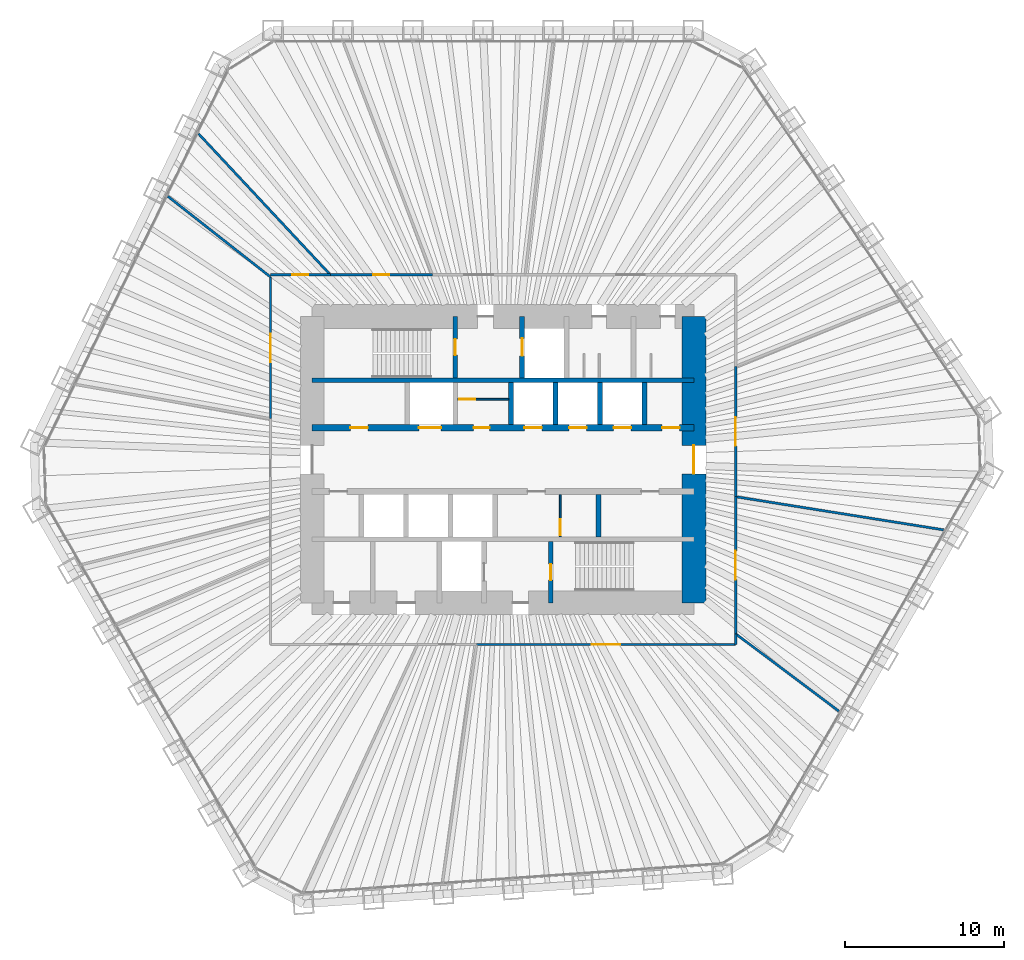
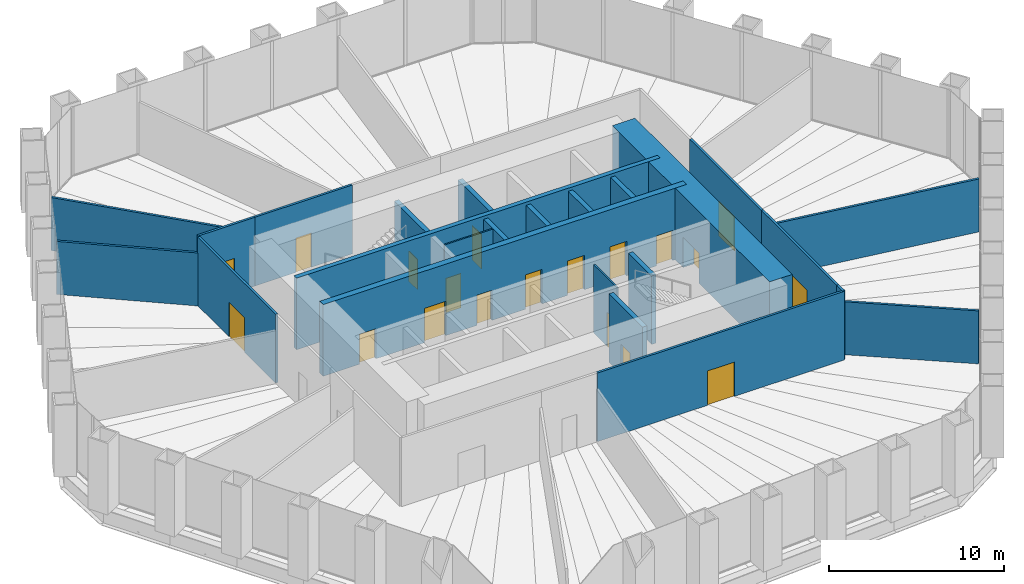
# One storey, part 11 of 13: 24 walls, 19 doors, 19 openings.
"""IFC4 building model written with IfcOpenShell, lengths in metres."""

from ifc_helpers import new_model, si_unit, direction, frame, frame_2d, origin, place, context, subcontext, project, spatial, rectangle, extrude, material, layer, layer_set, type_object, element, fill, save


model = new_model("IFC4")

# Units and contexts
model_context = context("Model", 3, precision=1e-05, world=origin(), true_north=direction((0.0, 1.0)))
body_context = subcontext(model_context, "Body", "Model", "MODEL_VIEW")
ifc_project = project(units=[si_unit("LENGTHUNIT", "METRE"), si_unit("AREAUNIT", "SQUARE_METRE"), si_unit("VOLUMEUNIT", "CUBIC_METRE"), si_unit("PLANEANGLEUNIT", "RADIAN"), si_unit("MASSUNIT", "GRAM", prefix="KILO")], contexts=[model_context])

# Site, building, storey
site_placement = place(None, origin())
site = spatial("IfcSite", under=ifc_project, at=site_placement, CompositionType="ELEMENT")
building_placement = place(site_placement, origin())
building = spatial("IfcBuilding", under=site, at=building_placement, Name="Qingtian Harvest Tower", CompositionType="ELEMENT")
storey_placement = place(building_placement, frame((0.0, 0.0, 47.0)))
storey = spatial("IfcBuildingStorey", under=building, at=storey_placement, Name="L09", CompositionType="ELEMENT", Elevation=47.0)

# Wall
ifc_material_1 = material(Name="Concrete fc' 70 MPa", Category="concrete")
ifc_layer_1 = layer(ifc_material_1, 0.300048828125)
ifc_layer_set_1 = layer_set([ifc_layer_1], Name="Core inner wall RC5 300")
wall_type_1 = type_object("IfcWallType", Name="Core inner wall RC5 300", PredefinedType="SHEAR", material=ifc_layer_set_1)
wall_1_placement = place(storey_placement, frame((-12.0, 5.0, 0.0), z_axis=(0.0, 0.0, 1.0), x_axis=(1.0, 0.0, 0.0)))
element("IfcWall", 1, at=wall_1_placement, inside=storey, type_object=wall_type_1, Name="Core wall IN5 L09", PredefinedType="SHEAR", context=body_context, shape_type="SweptSolid", body=[
    extrude(rectangle(XDim=24.0, YDim=0.300048828125, at=frame_2d((12.0, 0.0))), origin(), (0.0, 0.0, 1.0), 5.0),
])

# Wall, openings, doors
ifc_material_2 = material(Name="Concrete fc' 70 MPa", Category="concrete")
ifc_layer_2 = layer(ifc_material_2, 0.39990234375)
ifc_layer_set_2 = layer_set([ifc_layer_2], Name="Core inner web RC6 400")
wall_type_2 = type_object("IfcWallType", Name="Core inner web RC6 400", PredefinedType="SHEAR", material=ifc_layer_set_2)
wall_2_placement = place(storey_placement, frame((-12.0, 2.0, 0.0), z_axis=(0.0, 0.0, 1.0), x_axis=(1.0, 0.0, 0.0)))
wall_2 = element("IfcWall", 2, at=wall_2_placement, inside=storey, type_object=wall_type_2, Name="Core wall IN2 L09", PredefinedType="SHEAR", context=body_context, shape_type="SweptSolid", body=[
    extrude(rectangle(XDim=24.0, YDim=0.39990234375, at=frame_2d((12.0, 0.0))), origin(), (0.0, 0.0, 1.0), 5.0),
])
opening_1_placement = place(wall_2_placement, frame((2.39990234375, 0.0, 0.0)))
opening_1 = element("IfcOpeningElement", 3, at=opening_1_placement, cuts=wall_2, Name="Opening FD4", PredefinedType="OPENING", context=body_context, shape_type="SweptSolid", body=[
    extrude(rectangle(XDim=1.10009765625, YDim=2.10009765625, at=frame_2d((0.550048828125, 1.050048828125))), frame((0.0, 0.2099609375, 0.0), z_axis=(0.0, -1.0, 0.0), x_axis=(1.0, 0.0, 0.0)), (0.0, 0.0, 1.0), 0.419921875),
])
opening_2_placement = place(wall_2_placement, frame((22.0, 0.0, 0.0)))
opening_2 = element("IfcOpeningElement", 4, at=opening_2_placement, cuts=wall_2, Name="Opening FD4", PredefinedType="OPENING", context=body_context, shape_type="SweptSolid", body=[
    extrude(rectangle(XDim=1.10009765625, YDim=2.10009765625, at=frame_2d((0.550048828125, 1.050048828125))), frame((0.0, 0.2099609375, 0.0), z_axis=(0.0, -1.0, 0.0), x_axis=(1.0, 0.0, 0.0)), (0.0, 0.0, 1.0), 0.419921875),
])
opening_3_placement = place(wall_2_placement, frame((10.14990234375, 0.0, 0.0)))
opening_3 = element("IfcOpeningElement", 5, at=opening_3_placement, cuts=wall_2, Name="Opening FD1", PredefinedType="OPENING", context=body_context, shape_type="SweptSolid", body=[
    extrude(rectangle(XDim=1.0, YDim=2.10009765625, at=frame_2d((0.5, 1.050048828125))), frame((0.0, 0.2099609375, 0.0), z_axis=(0.0, -1.0, 0.0), x_axis=(1.0, 0.0, 0.0)), (0.0, 0.0, 1.0), 0.419921875),
])
opening_4_placement = place(wall_2_placement, frame((6.699951171875, 0.0, 0.0)))
opening_4 = element("IfcOpeningElement", 6, at=opening_4_placement, cuts=wall_2, Name="Opening LD2", PredefinedType="OPENING", context=body_context, shape_type="SweptSolid", body=[
    extrude(rectangle(XDim=1.39990234375, YDim=2.39990234375, at=frame_2d((0.699951171875, 1.199951171875))), frame((0.0, 0.2099609375, 0.0), z_axis=(0.0, -1.0, 0.0), x_axis=(1.0, 0.0, 0.0)), (0.0, 0.0, 1.0), 0.419921875),
])
opening_5_placement = place(wall_2_placement, frame((13.35009765625, 0.0, 0.0)))
opening_5 = element("IfcOpeningElement", 7, at=opening_5_placement, cuts=wall_2, Name="Opening LD1", PredefinedType="OPENING", context=body_context, shape_type="SweptSolid", body=[
    extrude(rectangle(XDim=1.10009765625, YDim=2.39990234375, at=frame_2d((0.550048828125, 1.199951171875))), frame((0.0, 0.2099609375, 0.0), z_axis=(0.0, -1.0, 0.0), x_axis=(1.0, 0.0, 0.0)), (0.0, 0.0, 1.0), 0.419921875),
])
opening_6_placement = place(wall_2_placement, frame((16.14990234375, 0.0, 0.0)))
opening_6 = element("IfcOpeningElement", 8, at=opening_6_placement, cuts=wall_2, Name="Opening LD1", PredefinedType="OPENING", context=body_context, shape_type="SweptSolid", body=[
    extrude(rectangle(XDim=1.10009765625, YDim=2.39990234375, at=frame_2d((0.550048828125, 1.199951171875))), frame((0.0, 0.2099609375, 0.0), z_axis=(0.0, -1.0, 0.0), x_axis=(1.0, 0.0, 0.0)), (0.0, 0.0, 1.0), 0.419921875),
])
opening_7_placement = place(wall_2_placement, frame((18.949951171875, 0.0, 0.0)))
opening_7 = element("IfcOpeningElement", 9, at=opening_7_placement, cuts=wall_2, Name="Opening LD1", PredefinedType="OPENING", context=body_context, shape_type="SweptSolid", body=[
    extrude(rectangle(XDim=1.10009765625, YDim=2.39990234375, at=frame_2d((0.550048828125, 1.199951171875))), frame((0.0, 0.2099609375, 0.0), z_axis=(0.0, -1.0, 0.0), x_axis=(1.0, 0.0, 0.0)), (0.0, 0.0, 1.0), 0.419921875),
])
ifc_material_3 = material(Name="Steel-faced door leaf", Category="steel")
door_type_1 = type_object("IfcDoorType", Name="Fire door FD1 single 1 HR", OperationType="SINGLE_SWING_LEFT", PredefinedType="DOOR", material=ifc_material_3)
door_1_placement = place(opening_3_placement, origin())
door_1 = element("IfcDoor", 10, at=door_1_placement, inside=storey, type_object=door_type_1, Name="STA door L09", OperationType="SINGLE_SWING_LEFT", OverallHeight=2.10009765625, OverallWidth=1.0, PredefinedType="DOOR", context=body_context, shape_type="SweptSolid", body=[
    extrude(rectangle(XDim=1.0, YDim=2.10009765625, at=frame_2d((0.5, 1.050048828125))), frame((0.0, 0.02490234375, 0.0), z_axis=(0.0, -1.0, 0.0), x_axis=(1.0, 0.0, 0.0)), (0.0, 0.0, 1.0), 0.050048828125),
])
fill(opening_3, door_1)
ifc_material_4 = material(Name="Steel-faced door leaf", Category="steel")
door_type_2 = type_object("IfcDoorType", Name="Fire door FD4 single 2 HR", OperationType="SINGLE_SWING_LEFT", PredefinedType="DOOR", material=ifc_material_4)
door_2_placement = place(opening_1_placement, origin())
door_2 = element("IfcDoor", 11, at=door_2_placement, inside=storey, type_object=door_type_2, Name="RA door L09", OperationType="SINGLE_SWING_LEFT", OverallHeight=2.10009765625, OverallWidth=1.10009765625, PredefinedType="DOOR", context=body_context, shape_type="SweptSolid", body=[
    extrude(rectangle(XDim=1.10009765625, YDim=2.10009765625, at=frame_2d((0.550048828125, 1.050048828125))), frame((0.0, 0.02490234375, 0.0), z_axis=(0.0, -1.0, 0.0), x_axis=(1.0, 0.0, 0.0)), (0.0, 0.0, 1.0), 0.050048828125),
])
fill(opening_1, door_2)
door_3_placement = place(opening_2_placement, origin())
door_3 = element("IfcDoor", 12, at=door_3_placement, inside=storey, type_object=door_type_2, Name="AHU door L09", OperationType="SINGLE_SWING_RIGHT", OverallHeight=2.10009765625, OverallWidth=1.10009765625, PredefinedType="DOOR", context=body_context, shape_type="SweptSolid", body=[
    extrude(rectangle(XDim=1.10009765625, YDim=2.10009765625, at=frame_2d((0.550048828125, 1.050048828125))), frame((0.0, 0.02490234375, 0.0), z_axis=(0.0, -1.0, 0.0), x_axis=(1.0, 0.0, 0.0)), (0.0, 0.0, 1.0), 0.050048828125),
])
fill(opening_2, door_3)
ifc_material_5 = material(Name="Stainless steel lift landing door", Category="steel")
door_type_3 = type_object("IfcDoorType", Name="Goods lift landing door LD2 1 HR", OperationType="DOUBLE_DOOR_SLIDING", PredefinedType="DOOR", material=ifc_material_5)
door_4_placement = place(opening_4_placement, origin())
door_4 = element("IfcDoor", 13, at=door_4_placement, inside=storey, type_object=door_type_3, Name="GL1 landing door L09", OperationType="DOUBLE_DOOR_SLIDING", OverallHeight=2.39990234375, OverallWidth=1.39990234375, PredefinedType="DOOR", context=body_context, shape_type="SweptSolid", body=[
    extrude(rectangle(XDim=1.39990234375, YDim=2.39990234375, at=frame_2d((0.699951171875, 1.199951171875))), frame((0.0, 0.02490234375, 0.0), z_axis=(0.0, -1.0, 0.0), x_axis=(1.0, 0.0, 0.0)), (0.0, 0.0, 1.0), 0.050048828125),
])
fill(opening_4, door_4)
ifc_material_6 = material(Name="Stainless steel lift landing door", Category="steel")
door_type_4 = type_object("IfcDoorType", Name="Lift landing door LD1 1 HR", OperationType="DOUBLE_DOOR_SLIDING", PredefinedType="DOOR", material=ifc_material_6)
door_5_placement = place(opening_5_placement, origin())
door_5 = element("IfcDoor", 14, at=door_5_placement, inside=storey, type_object=door_type_4, Name="PLA1 landing door L09", OperationType="DOUBLE_DOOR_SLIDING", OverallHeight=2.39990234375, OverallWidth=1.10009765625, PredefinedType="DOOR", context=body_context, shape_type="SweptSolid", body=[
    extrude(rectangle(XDim=1.10009765625, YDim=2.39990234375, at=frame_2d((0.550048828125, 1.199951171875))), frame((0.0, 0.02490234375, 0.0), z_axis=(0.0, -1.0, 0.0), x_axis=(1.0, 0.0, 0.0)), (0.0, 0.0, 1.0), 0.050048828125),
])
fill(opening_5, door_5)
door_6_placement = place(opening_6_placement, origin())
door_6 = element("IfcDoor", 15, at=door_6_placement, inside=storey, type_object=door_type_4, Name="PLA2 landing door L09", OperationType="DOUBLE_DOOR_SLIDING", OverallHeight=2.39990234375, OverallWidth=1.10009765625, PredefinedType="DOOR", context=body_context, shape_type="SweptSolid", body=[
    extrude(rectangle(XDim=1.10009765625, YDim=2.39990234375, at=frame_2d((0.550048828125, 1.199951171875))), frame((0.0, 0.02490234375, 0.0), z_axis=(0.0, -1.0, 0.0), x_axis=(1.0, 0.0, 0.0)), (0.0, 0.0, 1.0), 0.050048828125),
])
fill(opening_6, door_6)
door_7_placement = place(opening_7_placement, origin())
door_7 = element("IfcDoor", 16, at=door_7_placement, inside=storey, type_object=door_type_4, Name="PLA3 landing door L09", OperationType="DOUBLE_DOOR_SLIDING", OverallHeight=2.39990234375, OverallWidth=1.10009765625, PredefinedType="DOOR", context=body_context, shape_type="SweptSolid", body=[
    extrude(rectangle(XDim=1.10009765625, YDim=2.39990234375, at=frame_2d((0.550048828125, 1.199951171875))), frame((0.0, 0.02490234375, 0.0), z_axis=(0.0, -1.0, 0.0), x_axis=(1.0, 0.0, 0.0)), (0.0, 0.0, 1.0), 0.050048828125),
])
fill(opening_7, door_7)

# Wall, opening, door
ifc_material_7 = material(Name="Precast concrete shaft panel", Category="concrete")
ifc_layer_3 = layer(ifc_material_7, 0.300048828125)
ifc_layer_set_3 = layer_set([ifc_layer_3], Name="Core shaft partition SW1 300")
wall_type_3 = type_object("IfcWallType", Name="Core shaft partition SW1 300", PredefinedType="PARTITIONING", material=ifc_layer_set_3)
wall_3_placement = place(storey_placement, frame((-3.0, 5.14990234375, 0.0), z_axis=(0.0, 0.0, 1.0), x_axis=(0.0, 1.0, 0.0)))
wall_3 = element("IfcWall", 17, at=wall_3_placement, inside=storey, type_object=wall_type_3, Name="Core shaft partition XN1 L09", PredefinedType="PARTITIONING", context=body_context, shape_type="SweptSolid", body=[
    extrude(rectangle(XDim=3.85009765625, YDim=0.300048828125, at=frame_2d((1.925048828125, 0.0))), origin(), (0.0, 0.0, 1.0), 4.780029296875),
])
opening_8_placement = place(wall_3_placement, frame((1.425048828125, 0.0, 0.0)))
opening_8 = element("IfcOpeningElement", 18, at=opening_8_placement, cuts=wall_3, Name="Opening FD1", PredefinedType="OPENING", context=body_context, shape_type="SweptSolid", body=[
    extrude(rectangle(XDim=1.0, YDim=2.10009765625, at=frame_2d((0.5, 1.050048828125))), frame((0.0, 0.159912109375, 0.0), z_axis=(0.0, -1.0, 0.0), x_axis=(1.0, 0.0, 0.0)), (0.0, 0.0, 1.0), 0.320068359375),
])
door_8_placement = place(opening_8_placement, origin())
door_8 = element("IfcDoor", 19, at=door_8_placement, inside=storey, type_object=door_type_1, Name="S1 door L09", OperationType="SINGLE_SWING_LEFT", OverallHeight=2.10009765625, OverallWidth=1.0, PredefinedType="DOOR", context=body_context, shape_type="SweptSolid", body=[
    extrude(rectangle(XDim=1.0, YDim=2.10009765625, at=frame_2d((0.5, 1.050048828125))), frame((0.0, 0.02490234375, 0.0), z_axis=(0.0, -1.0, 0.0), x_axis=(1.0, 0.0, 0.0)), (0.0, 0.0, 1.0), 0.050048828125),
])
fill(opening_8, door_8)

wall_4_placement = place(storey_placement, frame((1.199951171875, 5.14990234375, 0.0), z_axis=(0.0, 0.0, 1.0), x_axis=(0.0, 1.0, 0.0)))
wall_4 = element("IfcWall", 20, at=wall_4_placement, inside=storey, type_object=wall_type_3, Name="Core shaft partition XN2 L09", PredefinedType="PARTITIONING", context=body_context, shape_type="SweptSolid", body=[
    extrude(rectangle(XDim=3.85009765625, YDim=0.300048828125, at=frame_2d((1.925048828125, 0.0))), origin(), (0.0, 0.0, 1.0), 4.780029296875),
])
opening_9_placement = place(wall_4_placement, frame((1.375, 0.0, 0.0)))
opening_9 = element("IfcOpeningElement", 21, at=opening_9_placement, cuts=wall_4, Name="Opening LD1", PredefinedType="OPENING", context=body_context, shape_type="SweptSolid", body=[
    extrude(rectangle(XDim=1.10009765625, YDim=2.39990234375, at=frame_2d((0.550048828125, 1.199951171875))), frame((0.0, 0.159912109375, 0.0), z_axis=(0.0, -1.0, 0.0), x_axis=(1.0, 0.0, 0.0)), (0.0, 0.0, 1.0), 0.320068359375),
])
door_9_placement = place(opening_9_placement, origin())
door_9 = element("IfcDoor", 22, at=door_9_placement, inside=storey, type_object=door_type_4, Name="FL1 landing door L09", OperationType="DOUBLE_DOOR_SLIDING", OverallHeight=2.39990234375, OverallWidth=1.10009765625, PredefinedType="DOOR", context=body_context, shape_type="SweptSolid", body=[
    extrude(rectangle(XDim=1.10009765625, YDim=2.39990234375, at=frame_2d((0.550048828125, 1.199951171875))), frame((0.0, 0.02490234375, 0.0), z_axis=(0.0, -1.0, 0.0), x_axis=(1.0, 0.0, 0.0)), (0.0, 0.0, 1.0), 0.050048828125),
])
fill(opening_9, door_9)

# Walls
for number, where, z_axis, x_axis, name in (
    (23, (0.5, 2.199951171875, 0.0), (0.0, 0.0, 1.0), (0.0, 1.0, 0.0), "Core shaft partition XA3 L09"),
    (24, (3.300048828125, 2.199951171875, 0.0), (0.0, 0.0, 1.0), (0.0, 1.0, 0.0), "Core shaft partition XA4 L09"),
    (25, (6.10009765625, 2.199951171875, 0.0), (0.0, 0.0, 1.0), (0.0, 1.0, 0.0), "Core shaft partition XA5 L09"),
    (26, (8.89990234375, 2.199951171875, 0.0), (0.0, 0.0, 1.0), (0.0, 1.0, 0.0), "Core shaft partition XA6 L09"),
    (27, (6.0, -4.85009765625, 0.0), (0.0, 0.0, 1.0), (0.0, 1.0, 0.0), "Core shaft partition XB5 L09"),
):
    element("IfcWall", number, at=place(storey_placement, frame(where, z_axis=z_axis, x_axis=x_axis)), inside=storey, type_object=wall_type_3, Name=name, PredefinedType="PARTITIONING", context=body_context, shape_type="SweptSolid", body=[
        extrude(rectangle(XDim=2.650146484375, YDim=0.300048828125, at=frame_2d((1.3251953125, 0.0))), origin(), (0.0, 0.0, 1.0), 4.780029296875),
    ])

# Wall, opening, door
wall_5_placement = place(storey_placement, frame((3.0, -9.0, 0.0), z_axis=(0.0, 0.0, 1.0), x_axis=(0.0, 1.0, 0.0)))
wall_5 = element("IfcWall", 28, at=wall_5_placement, inside=storey, type_object=wall_type_3, Name="Core shaft partition XS4 L09", PredefinedType="PARTITIONING", context=body_context, shape_type="SweptSolid", body=[
    extrude(rectangle(XDim=3.85009765625, YDim=0.300048828125, at=frame_2d((1.925048828125, 0.0))), origin(), (0.0, 0.0, 1.0), 4.780029296875),
])
opening_10_placement = place(wall_5_placement, frame((1.425048828125, 0.0, 0.0)))
opening_10 = element("IfcOpeningElement", 29, at=opening_10_placement, cuts=wall_5, Name="Opening FD1", PredefinedType="OPENING", context=body_context, shape_type="SweptSolid", body=[
    extrude(rectangle(XDim=1.0, YDim=2.10009765625, at=frame_2d((0.5, 1.050048828125))), frame((0.0, 0.159912109375, 0.0), z_axis=(0.0, -1.0, 0.0), x_axis=(1.0, 0.0, 0.0)), (0.0, 0.0, 1.0), 0.320068359375),
])
door_10_placement = place(opening_10_placement, origin())
door_10 = element("IfcDoor", 30, at=door_10_placement, inside=storey, type_object=door_type_1, Name="S2 door L09", OperationType="SINGLE_SWING_RIGHT", OverallHeight=2.10009765625, OverallWidth=1.0, PredefinedType="DOOR", context=body_context, shape_type="SweptSolid", body=[
    extrude(rectangle(XDim=1.0, YDim=2.10009765625, at=frame_2d((0.5, 1.050048828125))), frame((0.0, 0.02490234375, 0.0), z_axis=(0.0, -1.0, 0.0), x_axis=(1.0, 0.0, 0.0)), (0.0, 0.0, 1.0), 0.050048828125),
])
fill(opening_10, door_10)

ifc_material_8 = material(Name="Concrete fc' 70 MPa", Category="concrete")
ifc_layer_4 = layer(ifc_material_8, 1.5)
ifc_layer_set_4 = layer_set([ifc_layer_4], Name="Core wall RC1 1500")
wall_type_4 = type_object("IfcWallType", Name="Core wall RC1 1500", PredefinedType="SHEAR", material=ifc_layer_set_4)
wall_6_placement = place(storey_placement, frame((12.0, -9.0, 0.0), z_axis=(0.0, 0.0, 1.0), x_axis=(0.0, 1.0, 0.0)))
wall_6 = element("IfcWall", 31, at=wall_6_placement, inside=storey, type_object=wall_type_4, Name="Core wall CE L09", PredefinedType="SHEAR", context=body_context, shape_type="SweptSolid", body=[
    extrude(rectangle(XDim=18.0, YDim=1.5, at=frame_2d((9.0, 0.0))), origin(), (0.0, 0.0, 1.0), 5.0),
])
opening_11_placement = place(wall_6_placement, frame((8.10009765625, 0.0, 0.0)))
opening_11 = element("IfcOpeningElement", 32, at=opening_11_placement, cuts=wall_6, Name="Opening FD2", PredefinedType="OPENING", context=body_context, shape_type="SweptSolid", body=[
    extrude(rectangle(XDim=1.800048828125, YDim=2.10009765625, at=frame_2d((0.89990234375, 1.050048828125))), frame((0.0, 0.760009765625, 0.0), z_axis=(0.0, -1.0, 0.0), x_axis=(1.0, 0.0, 0.0)), (0.0, 0.0, 1.0), 1.52001953125),
])
ifc_material_9 = material(Name="Steel-faced door leaf", Category="steel")
door_type_5 = type_object("IfcDoorType", Name="Fire door FD2 double 1 HR", OperationType="DOUBLE_DOOR_DOUBLE_SWING", PredefinedType="DOOR", material=ifc_material_9)
door_11_placement = place(opening_11_placement, origin())
door_11 = element("IfcDoor", 33, at=door_11_placement, inside=storey, type_object=door_type_5, Name="LOBBY-E door L09", OperationType="DOUBLE_DOOR_DOUBLE_SWING", OverallHeight=2.10009765625, OverallWidth=1.800048828125, PredefinedType="DOOR", context=body_context, shape_type="SweptSolid", body=[
    extrude(rectangle(XDim=1.800048828125, YDim=2.10009765625, at=frame_2d((0.89990234375, 1.050048828125))), frame((0.0, 0.02490234375, 0.0), z_axis=(0.0, -1.0, 0.0), x_axis=(1.0, 0.0, 0.0)), (0.0, 0.0, 1.0), 0.050048828125),
])
fill(opening_11, door_11)

ifc_material_10 = material(Name="Gypsum board on steel studs", Category="steel")
ifc_layer_5 = layer(ifc_material_10, 0.14990234375)
ifc_layer_set_5 = layer_set([ifc_layer_5], Name="Partition PT1 150")
wall_type_5 = type_object("IfcWallType", Name="Partition PT1 150", PredefinedType="PARTITIONING", material=ifc_layer_set_5)
wall_7_placement = place(storey_placement, frame((14.625, 5.8642578125, 0.0), z_axis=(0.0, 0.0, 1.0), x_axis=(0.0, -1.0, 0.0)))
wall_7 = element("IfcWall", 34, at=wall_7_placement, inside=storey, type_object=wall_type_5, Name="Leafy greens growing room wall L09", PredefinedType="PARTITIONING", context=body_context, shape_type="SweptSolid", body=[
    extrude(rectangle(XDim=8.19482421875, YDim=0.14990234375, at=frame_2d((4.097412109375, 0.0))), origin(), (0.0, 0.0, 1.0), 4.800048828125),
])
opening_12_placement = place(wall_7_placement, frame((3.197509765625, 0.0, 0.0)))
opening_12 = element("IfcOpeningElement", 35, at=opening_12_placement, cuts=wall_7, Name="Opening D3", PredefinedType="OPENING", context=body_context, shape_type="SweptSolid", body=[
    extrude(rectangle(XDim=1.800048828125, YDim=2.39990234375, at=frame_2d((0.89990234375, 1.199951171875))), frame((0.0, 0.0849609375, 0.0), z_axis=(0.0, -1.0, 0.0), x_axis=(1.0, 0.0, 0.0)), (0.0, 0.0, 1.0), 0.169921875),
])
ifc_material_11 = material(Name="Laminated timber door leaf", Category="wood")
door_type_6 = type_object("IfcDoorType", Name="Room door D3 double", OperationType="DOUBLE_DOOR_DOUBLE_SWING", PredefinedType="DOOR", material=ifc_material_11)
door_12_placement = place(opening_12_placement, origin())
door_12 = element("IfcDoor", 36, at=door_12_placement, inside=storey, type_object=door_type_6, Name="Leafy greens growing room door L09", OperationType="DOUBLE_DOOR_DOUBLE_SWING", OverallHeight=2.39990234375, OverallWidth=1.800048828125, PredefinedType="DOOR", context=body_context, shape_type="SweptSolid", body=[
    extrude(rectangle(XDim=1.800048828125, YDim=2.39990234375, at=frame_2d((0.89990234375, 1.199951171875))), frame((0.0, 0.02490234375, 0.0), z_axis=(0.0, -1.0, 0.0), x_axis=(1.0, 0.0, 0.0)), (0.0, 0.0, 1.0), 0.050048828125),
])
fill(opening_12, door_12)

# Wall
wall_8_placement = place(storey_placement, frame((27.711181640625, -4.416015625, 0.0), z_axis=(0.0, 0.0, 1.0), x_axis=(-0.987538625309, 0.15737682016, 0.0)))
element("IfcWall", 37, at=wall_8_placement, inside=storey, type_object=wall_type_5, Name="Leafy greens growing room wall L09", PredefinedType="PARTITIONING", context=body_context, shape_type="SweptSolid", body=[
    extrude(rectangle(XDim=13.251220703125, YDim=0.14990234375, at=frame_2d((6.62548828125, 0.0))), origin(), (0.0, 0.0, 1.0), 3.699951171875),
])

# Wall, opening, door
wall_9_placement = place(storey_placement, frame((14.625, -2.33056640625, 0.0), z_axis=(0.0, 0.0, 1.0), x_axis=(0.0, -1.0, 0.0)))
wall_9 = element("IfcWall", 38, at=wall_9_placement, inside=storey, type_object=wall_type_5, Name="Leafy greens growing room wall L09", PredefinedType="PARTITIONING", context=body_context, shape_type="SweptSolid", body=[
    extrude(rectangle(XDim=8.61962890625, YDim=0.14990234375, at=frame_2d((4.309814453125, 0.0))), origin(), (0.0, 0.0, 1.0), 4.800048828125),
])
opening_13_placement = place(wall_9_placement, frame((3.40966796875, 0.0, 0.0)))
opening_13 = element("IfcOpeningElement", 39, at=opening_13_placement, cuts=wall_9, Name="Opening D3", PredefinedType="OPENING", context=body_context, shape_type="SweptSolid", body=[
    extrude(rectangle(XDim=1.800048828125, YDim=2.39990234375, at=frame_2d((0.89990234375, 1.199951171875))), frame((0.0, 0.0849609375, 0.0), z_axis=(0.0, -1.0, 0.0), x_axis=(1.0, 0.0, 0.0)), (0.0, 0.0, 1.0), 0.169921875),
])
door_13_placement = place(opening_13_placement, origin())
door_13 = element("IfcDoor", 40, at=door_13_placement, inside=storey, type_object=door_type_6, Name="Leafy greens growing room door L09", OperationType="DOUBLE_DOOR_DOUBLE_SWING", OverallHeight=2.39990234375, OverallWidth=1.800048828125, PredefinedType="DOOR", context=body_context, shape_type="SweptSolid", body=[
    extrude(rectangle(XDim=1.800048828125, YDim=2.39990234375, at=frame_2d((0.89990234375, 1.199951171875))), frame((0.0, 0.02490234375, 0.0), z_axis=(0.0, -1.0, 0.0), x_axis=(1.0, 0.0, 0.0)), (0.0, 0.0, 1.0), 0.050048828125),
])
fill(opening_13, door_13)

# Walls
wall_10_placement = place(storey_placement, frame((21.123046875, -15.8154296875, 0.0), z_axis=(0.0, 0.0, 1.0), x_axis=(-0.800490565123, 0.599345355492, 0.0)))
element("IfcWall", 41, at=wall_10_placement, inside=storey, type_object=wall_type_5, Name="Lettuce growing room wall L09", PredefinedType="PARTITIONING", context=body_context, shape_type="SweptSolid", body=[
    extrude(rectangle(XDim=8.11767578125, YDim=0.14990234375, at=frame_2d((4.058837890625, 0.0))), origin(), (0.0, 0.0, 1.0), 3.699951171875),
])
wall_11_placement = place(storey_placement, frame((14.625, -10.9501953125, 0.0), z_axis=(0.0, 0.0, 1.0), x_axis=(0.0, -1.0, 0.0)))
element("IfcWall", 42, at=wall_11_placement, inside=storey, type_object=wall_type_5, Name="Lettuce growing room wall L09", PredefinedType="PARTITIONING", context=body_context, shape_type="SweptSolid", body=[
    extrude(rectangle(XDim=0.6748046875, YDim=0.14990234375, at=frame_2d((0.33740234375, 0.0))), origin(), (0.0, 0.0, 1.0), 4.800048828125),
])

# Wall, opening, door
wall_12_placement = place(storey_placement, frame((14.625, -11.625, 0.0), z_axis=(0.0, 0.0, 1.0), x_axis=(-1.0, 0.0, 0.0)))
wall_12 = element("IfcWall", 43, at=wall_12_placement, inside=storey, type_object=wall_type_5, Name="Lettuce growing room wall L09", PredefinedType="PARTITIONING", context=body_context, shape_type="SweptSolid", body=[
    extrude(rectangle(XDim=16.289794921875, YDim=0.14990234375, at=frame_2d((8.14501953125, 0.0))), origin(), (0.0, 0.0, 1.0), 4.800048828125),
])
opening_14_placement = place(wall_12_placement, frame((7.244873046875, 0.0, 0.0)))
opening_14 = element("IfcOpeningElement", 44, at=opening_14_placement, cuts=wall_12, Name="Opening D3", PredefinedType="OPENING", context=body_context, shape_type="SweptSolid", body=[
    extrude(rectangle(XDim=1.800048828125, YDim=2.39990234375, at=frame_2d((0.89990234375, 1.199951171875))), frame((0.0, 0.0849609375, 0.0), z_axis=(0.0, -1.0, 0.0), x_axis=(1.0, 0.0, 0.0)), (0.0, 0.0, 1.0), 0.169921875),
])
door_14_placement = place(opening_14_placement, origin())
door_14 = element("IfcDoor", 45, at=door_14_placement, inside=storey, type_object=door_type_6, Name="Lettuce growing room door L09", OperationType="DOUBLE_DOOR_DOUBLE_SWING", OverallHeight=2.39990234375, OverallWidth=1.800048828125, PredefinedType="DOOR", context=body_context, shape_type="SweptSolid", body=[
    extrude(rectangle(XDim=1.800048828125, YDim=2.39990234375, at=frame_2d((0.89990234375, 1.199951171875))), frame((0.0, 0.02490234375, 0.0), z_axis=(0.0, -1.0, 0.0), x_axis=(1.0, 0.0, 0.0)), (0.0, 0.0, 1.0), 0.050048828125),
])
fill(opening_14, door_14)

wall_13_placement = place(storey_placement, frame((-14.625, 2.573486328125, 0.0), z_axis=(0.0, 0.0, 1.0), x_axis=(0.0, 1.0, 0.0)))
wall_13 = element("IfcWall", 46, at=wall_13_placement, inside=storey, type_object=wall_type_5, Name="Packing room wall L09", PredefinedType="PARTITIONING", context=body_context, shape_type="SweptSolid", body=[
    extrude(rectangle(XDim=8.91455078125, YDim=0.14990234375, at=frame_2d((4.457275390625, 0.0))), origin(), (0.0, 0.0, 1.0), 4.800048828125),
])
opening_15_placement = place(wall_13_placement, frame((3.557373046875, 0.0, 0.0)))
opening_15 = element("IfcOpeningElement", 47, at=opening_15_placement, cuts=wall_13, Name="Opening D3", PredefinedType="OPENING", context=body_context, shape_type="SweptSolid", body=[
    extrude(rectangle(XDim=1.800048828125, YDim=2.39990234375, at=frame_2d((0.89990234375, 1.199951171875))), frame((0.0, 0.0849609375, 0.0), z_axis=(0.0, -1.0, 0.0), x_axis=(1.0, 0.0, 0.0)), (0.0, 0.0, 1.0), 0.169921875),
])
door_15_placement = place(opening_15_placement, origin())
door_15 = element("IfcDoor", 48, at=door_15_placement, inside=storey, type_object=door_type_6, Name="Packing room door L09", OperationType="DOUBLE_DOOR_DOUBLE_SWING", OverallHeight=2.39990234375, OverallWidth=1.800048828125, PredefinedType="DOOR", context=body_context, shape_type="SweptSolid", body=[
    extrude(rectangle(XDim=1.800048828125, YDim=2.39990234375, at=frame_2d((0.89990234375, 1.199951171875))), frame((0.0, 0.02490234375, 0.0), z_axis=(0.0, -1.0, 0.0), x_axis=(1.0, 0.0, 0.0)), (0.0, 0.0, 1.0), 0.050048828125),
])
fill(opening_15, door_15)

# Wall
wall_14_placement = place(storey_placement, frame((-21.077392578125, 16.556640625, 0.0), z_axis=(0.0, 0.0, 1.0), x_axis=(0.786385446389, -0.617736132752, 0.0)))
element("IfcWall", 49, at=wall_14_placement, inside=storey, type_object=wall_type_5, Name="Quality lab wall L09", PredefinedType="PARTITIONING", context=body_context, shape_type="SweptSolid", body=[
    extrude(rectangle(XDim=8.205078125, YDim=0.14990234375, at=frame_2d((4.1025390625, 0.0))), origin(), (0.0, 0.0, 1.0), 3.699951171875),
])

# Wall, opening, door
wall_15_placement = place(storey_placement, frame((-14.625, 11.625, 0.0), z_axis=(0.0, 0.0, 1.0), x_axis=(1.0, 0.0, 0.0)))
wall_15 = element("IfcWall", 50, at=wall_15_placement, inside=storey, type_object=wall_type_5, Name="Quality lab wall L09", PredefinedType="PARTITIONING", context=body_context, shape_type="SweptSolid", body=[
    extrude(rectangle(XDim=3.763671875, YDim=0.14990234375, at=frame_2d((1.8818359375, 0.0))), origin(), (0.0, 0.0, 1.0), 4.800048828125),
])
opening_16_placement = place(wall_15_placement, frame((1.3818359375, 0.0, 0.0)))
opening_16 = element("IfcOpeningElement", 51, at=opening_16_placement, cuts=wall_15, Name="Opening D2", PredefinedType="OPENING", context=body_context, shape_type="SweptSolid", body=[
    extrude(rectangle(XDim=1.0, YDim=2.39990234375, at=frame_2d((0.5, 1.199951171875))), frame((0.0, 0.0849609375, 0.0), z_axis=(0.0, -1.0, 0.0), x_axis=(1.0, 0.0, 0.0)), (0.0, 0.0, 1.0), 0.169921875),
])
ifc_material_12 = material(Name="Laminated timber door leaf", Category="wood")
door_type_7 = type_object("IfcDoorType", Name="Room door D2 single", OperationType="SINGLE_SWING_LEFT", PredefinedType="DOOR", material=ifc_material_12)
door_16_placement = place(opening_16_placement, origin())
door_16 = element("IfcDoor", 52, at=door_16_placement, inside=storey, type_object=door_type_7, Name="Quality lab door L09", OperationType="SINGLE_SWING_LEFT", OverallHeight=2.39990234375, OverallWidth=1.0, PredefinedType="DOOR", context=body_context, shape_type="SweptSolid", body=[
    extrude(rectangle(XDim=1.0, YDim=2.39990234375, at=frame_2d((0.5, 1.199951171875))), frame((0.0, 0.02490234375, 0.0), z_axis=(0.0, -1.0, 0.0), x_axis=(1.0, 0.0, 0.0)), (0.0, 0.0, 1.0), 0.050048828125),
])
fill(opening_16, door_16)

# Wall
wall_16_placement = place(storey_placement, frame((-19.156982421875, 20.504150390625, 0.0), z_axis=(0.0, 0.0, 1.0), x_axis=(0.682689688298, -0.73070841619, 0.0)))
element("IfcWall", 53, at=wall_16_placement, inside=storey, type_object=wall_type_5, Name="Harvest wash room wall L09", PredefinedType="PARTITIONING", context=body_context, shape_type="SweptSolid", body=[
    extrude(rectangle(XDim=12.1513671875, YDim=0.14990234375, at=frame_2d((6.07568359375, 0.0))), origin(), (0.0, 0.0, 1.0), 3.699951171875),
])

# Wall, opening, door
wall_17_placement = place(storey_placement, frame((-10.861328125, 11.625, 0.0), z_axis=(0.0, 0.0, 1.0), x_axis=(1.0, 0.0, 0.0)))
wall_17 = element("IfcWall", 54, at=wall_17_placement, inside=storey, type_object=wall_type_5, Name="Harvest wash room wall L09", PredefinedType="PARTITIONING", context=body_context, shape_type="SweptSolid", body=[
    extrude(rectangle(XDim=6.41162109375, YDim=0.14990234375, at=frame_2d((3.205810546875, 0.0))), origin(), (0.0, 0.0, 1.0), 4.800048828125),
])
opening_17_placement = place(wall_17_placement, frame((2.705810546875, 0.0, 0.0)))
opening_17 = element("IfcOpeningElement", 55, at=opening_17_placement, cuts=wall_17, Name="Opening D2", PredefinedType="OPENING", context=body_context, shape_type="SweptSolid", body=[
    extrude(rectangle(XDim=1.0, YDim=2.39990234375, at=frame_2d((0.5, 1.199951171875))), frame((0.0, 0.0849609375, 0.0), z_axis=(0.0, -1.0, 0.0), x_axis=(1.0, 0.0, 0.0)), (0.0, 0.0, 1.0), 0.169921875),
])
door_17_placement = place(opening_17_placement, origin())
door_17 = element("IfcDoor", 56, at=door_17_placement, inside=storey, type_object=door_type_7, Name="Harvest wash room door L09", OperationType="SINGLE_SWING_LEFT", OverallHeight=2.39990234375, OverallWidth=1.0, PredefinedType="DOOR", context=body_context, shape_type="SweptSolid", body=[
    extrude(rectangle(XDim=1.0, YDim=2.39990234375, at=frame_2d((0.5, 1.199951171875))), frame((0.0, 0.02490234375, 0.0), z_axis=(0.0, -1.0, 0.0), x_axis=(1.0, 0.0, 0.0)), (0.0, 0.0, 1.0), 0.050048828125),
])
fill(opening_17, door_17)

ifc_material_13 = material(Name="Concrete block partition", Category="concrete")
ifc_layer_6 = layer(ifc_material_13, 0.10009765625)
ifc_layer_set_6 = layer_set([ifc_layer_6], Name="Store partition PT3 100")
wall_type_6 = type_object("IfcWallType", Name="Store partition PT3 100", PredefinedType="PARTITIONING", material=ifc_layer_set_6)
wall_18_placement = place(storey_placement, frame((-2.85009765625, 3.800048828125, 0.0), z_axis=(0.0, 0.0, 1.0), x_axis=(1.0, 0.0, 0.0)))
wall_18 = element("IfcWall", 57, at=wall_18_placement, inside=storey, type_object=wall_type_6, Name="Nutrient store wall L09", PredefinedType="PARTITIONING", context=body_context, shape_type="SweptSolid", body=[
    extrude(rectangle(XDim=3.2001953125, YDim=0.10009765625, at=frame_2d((1.60009765625, 0.0))), origin(), (0.0, 0.0, 1.0), 4.780029296875),
])
opening_18_placement = place(wall_18_placement, frame((0.10009765625, 0.0, 0.0)))
opening_18 = element("IfcOpeningElement", 58, at=opening_18_placement, cuts=wall_18, Name="Opening D2", PredefinedType="OPENING", context=body_context, shape_type="SweptSolid", body=[
    extrude(rectangle(XDim=1.0, YDim=2.39990234375, at=frame_2d((0.5, 1.199951171875))), frame((0.0, 0.06005859375, 0.0), z_axis=(0.0, -1.0, 0.0), x_axis=(1.0, 0.0, 0.0)), (0.0, 0.0, 1.0), 0.1201171875),
])
door_18_placement = place(opening_18_placement, origin())
door_18 = element("IfcDoor", 59, at=door_18_placement, inside=storey, type_object=door_type_7, Name="Nutrient store door L09", OperationType="SINGLE_SWING_RIGHT", OverallHeight=2.39990234375, OverallWidth=1.0, PredefinedType="DOOR", context=body_context, shape_type="SweptSolid", body=[
    extrude(rectangle(XDim=1.0, YDim=2.39990234375, at=frame_2d((0.5, 1.199951171875))), frame((0.0, 0.02490234375, 0.0), z_axis=(0.0, -1.0, 0.0), x_axis=(1.0, 0.0, 0.0)), (0.0, 0.0, 1.0), 0.050048828125),
])
fill(opening_18, door_18)

wall_19_placement = place(storey_placement, frame((3.60009765625, -4.85009765625, 0.0), z_axis=(0.0, 0.0, 1.0), x_axis=(0.0, 1.0, 0.0)))
wall_19 = element("IfcWall", 60, at=wall_19_placement, inside=storey, type_object=wall_type_6, Name="Control room wall L09", PredefinedType="PARTITIONING", context=body_context, shape_type="SweptSolid", body=[
    extrude(rectangle(XDim=2.650146484375, YDim=0.10009765625, at=frame_2d((1.3251953125, 0.0))), origin(), (0.0, 0.0, 1.0), 4.780029296875),
])
opening_19_placement = place(wall_19_placement, frame((0.10009765625, 0.0, 0.0)))
opening_19 = element("IfcOpeningElement", 61, at=opening_19_placement, cuts=wall_19, Name="Opening D2", PredefinedType="OPENING", context=body_context, shape_type="SweptSolid", body=[
    extrude(rectangle(XDim=1.0, YDim=2.39990234375, at=frame_2d((0.5, 1.199951171875))), frame((0.0, 0.06005859375, 0.0), z_axis=(0.0, -1.0, 0.0), x_axis=(1.0, 0.0, 0.0)), (0.0, 0.0, 1.0), 0.1201171875),
])
door_19_placement = place(opening_19_placement, origin())
door_19 = element("IfcDoor", 62, at=door_19_placement, inside=storey, type_object=door_type_7, Name="Control room door L09", OperationType="SINGLE_SWING_LEFT", OverallHeight=2.39990234375, OverallWidth=1.0, PredefinedType="DOOR", context=body_context, shape_type="SweptSolid", body=[
    extrude(rectangle(XDim=1.0, YDim=2.39990234375, at=frame_2d((0.5, 1.199951171875))), frame((0.0, 0.02490234375, 0.0), z_axis=(0.0, -1.0, 0.0), x_axis=(1.0, 0.0, 0.0)), (0.0, 0.0, 1.0), 0.050048828125),
])
fill(opening_19, door_19)

save(model, "model.ifc")
